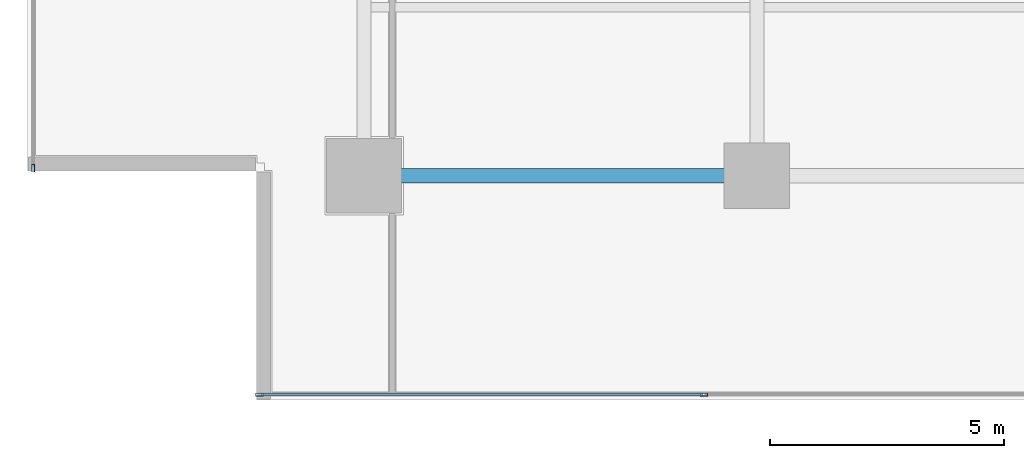
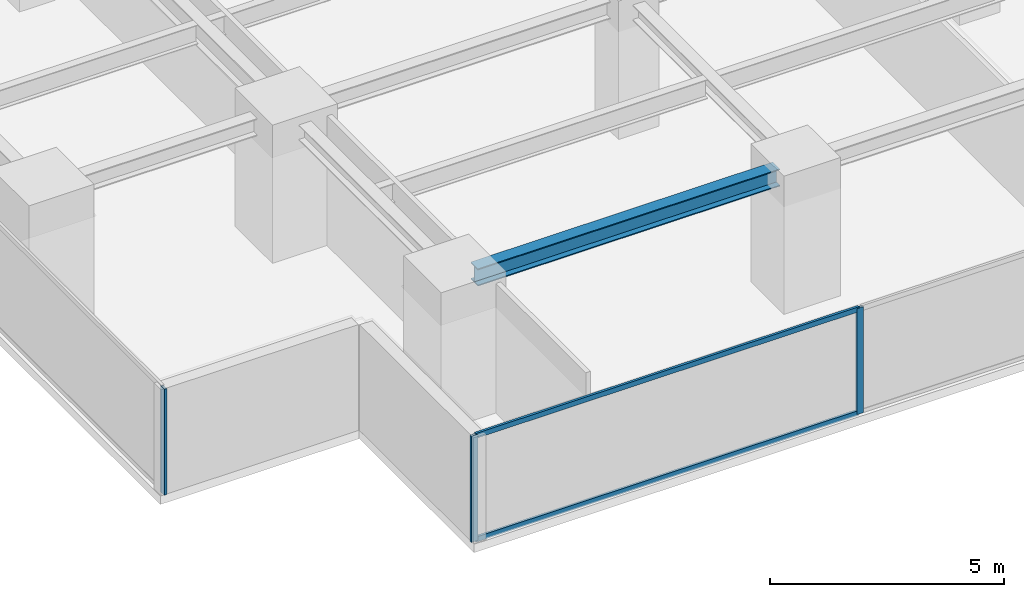
# One storey, part 2 of 27: 5 members, 1 beam, 2 elements without a shape of their own.
"""IFC4 building model written with IfcOpenShell, lengths in metres."""

from ifc_helpers import new_model, si_unit, direction, frame, origin, origin_2d, place, context, subcontext, project, spatial, hollow_rectangle, i_section, extrude, source, transform, mapped, material, layer, layer_set, material_profile, profile_set, type_object, element, aggregate, save


model = new_model("IFC4")

# Units and contexts
model_context = context("Model", 3, precision=1e-05, world=origin(), true_north=direction((0.0, 1.0)))
body_context = subcontext(model_context, "Body", "Model", "MODEL_VIEW")
ifc_project = project(units=[si_unit("LENGTHUNIT", "METRE"), si_unit("AREAUNIT", "SQUARE_METRE"), si_unit("VOLUMEUNIT", "CUBIC_METRE"), si_unit("PLANEANGLEUNIT", "RADIAN"), si_unit("MASSUNIT", "GRAM", prefix="KILO")], contexts=[model_context])

# Site, building, storey
site_placement = place(None, origin())
site = spatial("IfcSite", under=ifc_project, at=site_placement, CompositionType="ELEMENT")
building_placement = place(site_placement, origin())
building = spatial("IfcBuilding", under=site, at=building_placement, Name="Sumidabori Civic Tower", CompositionType="ELEMENT")
storey_placement = place(building_placement, frame((0.0, 0.0, 135.199951171875)))
storey = spatial("IfcBuildingStorey", under=building, at=storey_placement, Name="L34", CompositionType="ELEMENT", Elevation=135.199951171875)

# Beam
ifc_material_1 = material(Name="Steel SN490", Category="steel")
ifc_material_profile_1 = material_profile(ifc_material_1, i_section(OverallWidth=0.300048828125, OverallDepth=0.449951171875, WebThickness=0.013916015625, FlangeThickness=0.02587890625, at=origin_2d()), Name="HE 450 B")
ifc_profile_set_1 = profile_set([ifc_material_profile_1], Name="Steel SN490")
beam_type = type_object("IfcBeamType", Name="BM-GIRD-450", PredefinedType="BEAM", material=ifc_profile_set_1)
shared_shape_1 = source(origin(), body_context, "Body", "SweptSolid", [
    extrude(i_section(OverallWidth=0.300048828125, OverallDepth=0.449951171875, WebThickness=0.013916015625, FlangeThickness=0.02587890625, at=origin_2d()), origin(), (0.0, 0.0, 1.0), 7.440185546875),
])
beam_placement = place(storey_placement, frame((-16.320068359375, -18.0, 3.155029296875), z_axis=(1.0, 0.0, 0.0), x_axis=(0.0, 1.0, 0.0)))
element("IfcBeam", 1, at=beam_placement, inside=storey, type_object=beam_type, Name="Primary Girder L34 GX-01", PredefinedType="BEAM", context=body_context, shape_type="MappedRepresentation", body=[
    mapped(shared_shape_1, transform((0.0, 0.0, 0.0), x_axis=(1.0, 0.0, 0.0), y_axis=(0.0, 1.0, 0.0), z_axis=(0.0, 0.0, 1.0), scale=1.0)),
])

# Curtain wall, members
ifc_material_2 = material(Name="Anodised Bronze Aluminium AW-6063-T6", Category="aluminium")
ifc_layer = layer(ifc_material_2, 0.179931640625, Name="Anodised Bronze Aluminium AW-6063-T6")
ifc_layer_set = layer_set([ifc_layer], Name="Anodised Bronze Aluminium AW-6063-T6")
curtain_wall_type = type_object("IfcCurtainWallType", Name="CW-SYS-3", PredefinedType="NOTDEFINED", material=ifc_layer_set)
curtain_wall_1_placement = place(storey_placement, origin())
curtain_wall_1 = element("IfcCurtainWall", 2, at=curtain_wall_1_placement, inside=storey, type_object=curtain_wall_type, Name="Curtain Wall CW:L34:R01", PredefinedType="NOTDEFINED")
ifc_material_profile_2 = material_profile(ifc_material_2, hollow_rectangle(XDim=0.06494140625, YDim=0.159912109375, WallThickness=0.0048828125, at=origin_2d()), Name="ALU MULLION 160x65")
ifc_profile_set_2 = profile_set([ifc_material_profile_2], Name="Anodised Bronze Aluminium AW-6063-T6")
member_type_1 = type_object("IfcMemberType", Name="CW-MUL-160", PredefinedType="MULLION", material=ifc_profile_set_2)
shared_shape_2 = source(origin(), body_context, "Body", "SweptSolid", [
    extrude(hollow_rectangle(XDim=0.06494140625, YDim=0.159912109375, WallThickness=0.0048828125, at=origin_2d()), origin(), (0.0, 0.0, 1.0), 2.760009765625),
])
member_1_placement = place(storey_placement, frame((-19.03759765625, -22.679931640625, 0.0), z_axis=(0.0, 0.0, 1.0), x_axis=(0.0, 1.0, 0.0)))
member_1 = element("IfcMember", 3, at=member_1_placement, type_object=member_type_1, Name="CW-3 mullion 1", PredefinedType="MULLION", context=body_context, shape_type="MappedRepresentation", body=[
    mapped(shared_shape_2, transform((0.0, 0.0, 0.0), x_axis=(1.0, 0.0, 0.0), y_axis=(0.0, 1.0, 0.0), z_axis=(0.0, 0.0, 1.0), scale=1.0)),
])
member_2_placement = place(storey_placement, frame((-9.534912109375, -22.679931640625, 0.0), z_axis=(0.0, 0.0, 1.0), x_axis=(0.0, 1.0, 0.0)))
member_2 = element("IfcMember", 4, at=member_2_placement, type_object=member_type_1, Name="CW-3 mullion 2", PredefinedType="MULLION", context=body_context, shape_type="MappedRepresentation", body=[
    mapped(shared_shape_2, transform((0.0, 0.0, 0.0), x_axis=(1.0, 0.0, 0.0), y_axis=(0.0, 1.0, 0.0), z_axis=(0.0, 0.0, 1.0), scale=1.0)),
])

# Curtain wall, member
curtain_wall_2_placement = place(storey_placement, origin())
curtain_wall_2 = element("IfcCurtainWall", 5, at=curtain_wall_2_placement, inside=storey, type_object=curtain_wall_type, Name="Curtain Wall CW:L34:R10", PredefinedType="NOTDEFINED")
member_3_placement = place(storey_placement, frame((-23.8798828125, -17.83740234375, 0.0), z_axis=(0.0, 0.0, 1.0), x_axis=(1.0, 0.0, 0.0)))
member_3 = element("IfcMember", 6, at=member_3_placement, type_object=member_type_1, Name="CW-3 mullion 5", PredefinedType="MULLION", context=body_context, shape_type="MappedRepresentation", body=[
    mapped(shared_shape_2, transform((0.0, 0.0, 0.0), x_axis=(1.0, 0.0, 0.0), y_axis=(0.0, 1.0, 0.0), z_axis=(0.0, 0.0, 1.0), scale=1.0)),
])
aggregate(curtain_wall_2, [member_3])

# Member
ifc_material_profile_3 = material_profile(ifc_material_2, hollow_rectangle(XDim=0.06005859375, YDim=0.1298828125, WallThickness=0.0048828125, at=origin_2d()), Name="ALU TRANSOM 130x60")
ifc_profile_set_3 = profile_set([ifc_material_profile_3], Name="Anodised Bronze Aluminium AW-6063-T6")
member_type_2 = type_object("IfcMemberType", Name="CW-TRN-130", PredefinedType="USERDEFINED", material=ifc_profile_set_3)
shared_shape_3 = source(origin(), body_context, "Body", "SweptSolid", [
    extrude(hollow_rectangle(XDim=0.06005859375, YDim=0.1298828125, WallThickness=0.0048828125, at=origin_2d()), origin(), (0.0, 0.0, 1.0), 9.4375),
])
member_4_placement = place(storey_placement, frame((-19.0048828125, -22.679931640625, 0.030029296875), z_axis=(1.0, 0.0, 0.0), x_axis=(0.0, 1.0, 0.0)))
member_4 = element("IfcMember", 7, at=member_4_placement, type_object=member_type_2, Name="CW-3 transom 1.1", ObjectType="TRANSOM", PredefinedType="USERDEFINED", context=body_context, shape_type="MappedRepresentation", body=[
    mapped(shared_shape_3, transform((0.0, 0.0, 0.0), x_axis=(1.0, 0.0, 0.0), y_axis=(0.0, 1.0, 0.0), z_axis=(0.0, 0.0, 1.0), scale=1.0)),
])

member_5_placement = place(storey_placement, frame((-19.0048828125, -22.679931640625, 2.72998046875), z_axis=(1.0, 0.0, 0.0), x_axis=(0.0, 1.0, 0.0)))
member_5 = element("IfcMember", 8, at=member_5_placement, type_object=member_type_2, Name="CW-3 transom 1.2", ObjectType="TRANSOM", PredefinedType="USERDEFINED", context=body_context, shape_type="MappedRepresentation", body=[
    mapped(shared_shape_3, transform((0.0, 0.0, 0.0), x_axis=(1.0, 0.0, 0.0), y_axis=(0.0, 1.0, 0.0), z_axis=(0.0, 0.0, 1.0), scale=1.0)),
])

aggregate(curtain_wall_1, [member_1, member_2, member_4, member_5])

save(model, "model.ifc")
